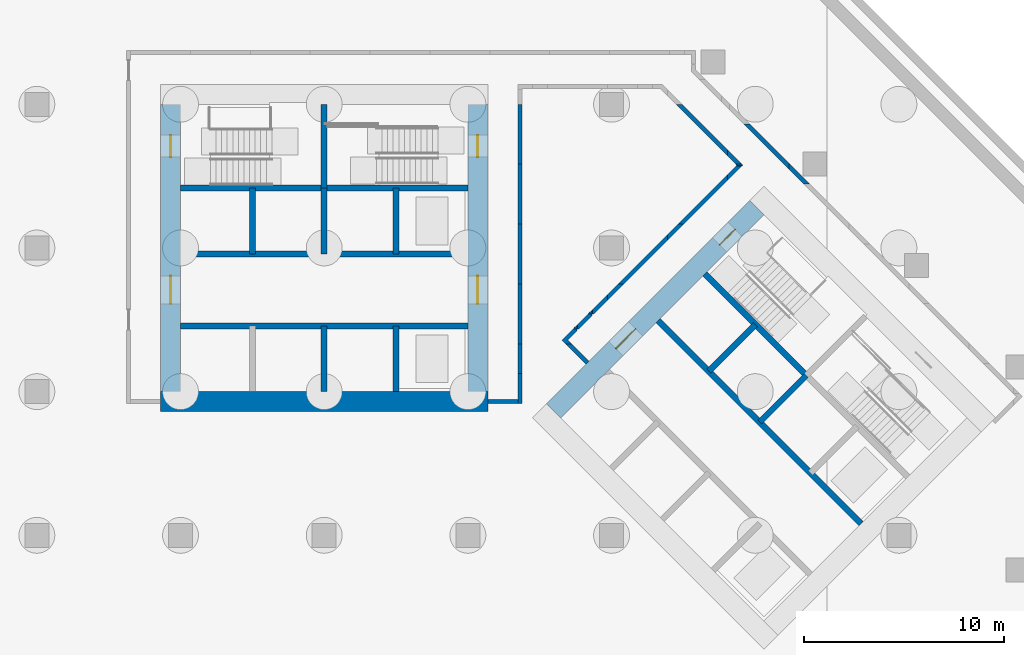
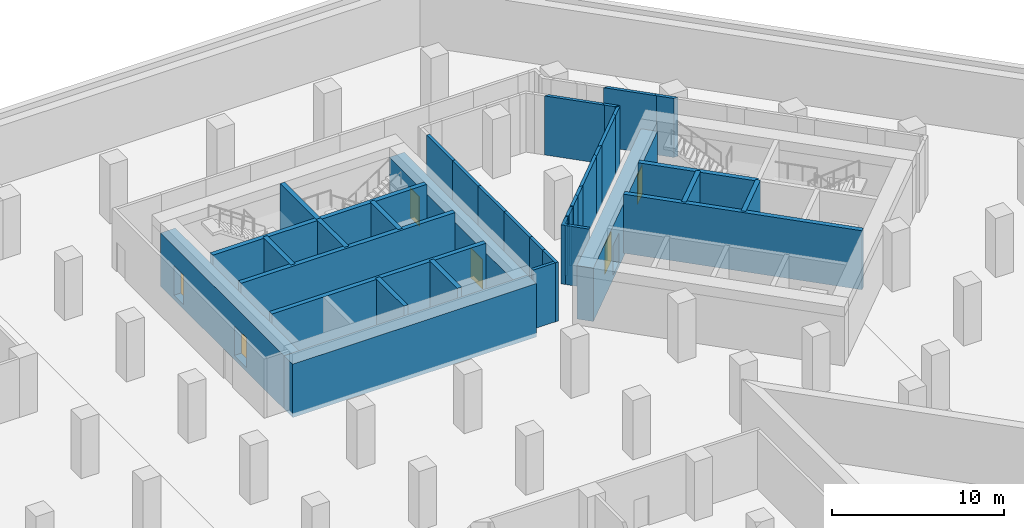
# One storey, part 6 of 12: 41 walls, 6 doors, 6 openings.
"""IFC4 building model written with IfcOpenShell, lengths in metres."""

from ifc_helpers import new_model, si_unit, direction, frame, frame_2d, origin, place, context, subcontext, project, spatial, polyline, rectangle, outline, extrude, material, layer, layer_set, type_object, element, fill, save


model = new_model("IFC4")

# Units and contexts
model_context = context("Model", 3, precision=1e-05, world=origin(), true_north=direction((0.0, 1.0)))
body_context = subcontext(model_context, "Body", "Model", "MODEL_VIEW")
ifc_project = project(units=[si_unit("LENGTHUNIT", "METRE"), si_unit("AREAUNIT", "SQUARE_METRE"), si_unit("VOLUMEUNIT", "CUBIC_METRE"), si_unit("PLANEANGLEUNIT", "RADIAN"), si_unit("MASSUNIT", "GRAM", prefix="KILO")], contexts=[model_context])

# Site, building, storey
site_placement = place(None, origin())
site = spatial("IfcSite", under=ifc_project, at=site_placement, CompositionType="ELEMENT")
building_placement = place(site_placement, origin())
building = spatial("IfcBuilding", under=site, at=building_placement, Name="Windrow Commons", CompositionType="ELEMENT")
storey_placement = place(building_placement, frame((0.0, 0.0, -9.0)))
storey = spatial("IfcBuildingStorey", under=building, at=storey_placement, Name="B2", CompositionType="ELEMENT", Elevation=-9.0)

# Walls
ifc_material_1 = material(Name="Blockwork partition", Category="masonry")
ifc_layer_1 = layer(ifc_material_1, 0.2)
ifc_layer_set_1 = layer_set([ifc_layer_1], Name="CP-PART-200")
wall_type_1 = type_object("IfcWallType", Name="CP-PART-200", PredefinedType="PARTITIONING", material=ifc_layer_set_1)
placement = place(storey_placement, origin())
element("IfcWall", 1, at=placement, inside=storey, type_object=wall_type_1, Name="Escape corridor wall 07", PredefinedType="PARTITIONING", context=body_context, shape_type="SweptSolid", body=[
    extrude(outline(polyline([(74.5, 50.0), (73.0, 50.0), (73.0, 49.8), (74.5, 49.8), (74.5, 50.0)])), origin(), (0.0, 0.0, 1.0), 4.2),
])
element("IfcWall", 2, at=placement, inside=storey, type_object=wall_type_1, Name="Escape corridor wall 08", PredefinedType="PARTITIONING", context=body_context, shape_type="SweptSolid", body=[
    extrude(outline(polyline([(74.5, 51.3), (74.5, 49.8), (74.7, 49.8), (74.7, 51.3), (74.5, 51.3)])), origin(), (0.0, 0.0, 1.0), 4.2),
])
element("IfcWall", 3, at=placement, inside=storey, type_object=wall_type_1, Name="Escape corridor wall 09", PredefinedType="PARTITIONING", context=body_context, shape_type="SweptSolid", body=[
    extrude(outline(polyline([(74.5, 52.8), (74.5, 51.3), (74.7, 51.3), (74.7, 52.8), (74.5, 52.8)])), origin(), (0.0, 0.0, 1.0), 4.2),
])
element("IfcWall", 4, at=placement, inside=storey, type_object=wall_type_1, Name="Escape corridor wall 10", PredefinedType="PARTITIONING", context=body_context, shape_type="SweptSolid", body=[
    extrude(outline(polyline([(74.5, 55.8), (74.5, 52.8), (74.7, 52.8), (74.7, 55.8), (74.5, 55.8)])), origin(), (0.0, 0.0, 1.0), 4.2),
])
element("IfcWall", 5, at=placement, inside=storey, type_object=wall_type_1, Name="Escape corridor wall 11", PredefinedType="PARTITIONING", context=body_context, shape_type="SweptSolid", body=[
    extrude(outline(polyline([(74.5, 58.8), (74.5, 55.8), (74.7, 55.8), (74.7, 58.8), (74.5, 58.8)])), origin(), (0.0, 0.0, 1.0), 4.2),
])
element("IfcWall", 6, at=placement, inside=storey, type_object=wall_type_1, Name="Escape corridor wall 12", PredefinedType="PARTITIONING", context=body_context, shape_type="SweptSolid", body=[
    extrude(outline(polyline([(74.5, 61.8), (74.5, 58.8), (74.7, 58.8), (74.7, 61.8), (74.5, 61.8)])), origin(), (0.0, 0.0, 1.0), 4.2),
])
element("IfcWall", 7, at=placement, inside=storey, type_object=wall_type_1, Name="Escape corridor wall 13", PredefinedType="PARTITIONING", context=body_context, shape_type="SweptSolid", body=[
    extrude(outline(polyline([(74.5, 64.8), (74.5, 61.8), (74.7, 61.8), (74.7, 64.8), (74.5, 64.8)])), origin(), (0.0, 0.0, 1.0), 4.2),
])
element("IfcWall", 8, at=placement, inside=storey, type_object=wall_type_1, Name="Escape corridor wall 18", PredefinedType="PARTITIONING", context=body_context, shape_type="SweptSolid", body=[
    extrude(outline(polyline([(76.904, 52.8), (77.1868, 52.8), (77.008, 52.9788), (77.4751, 53.446), (77.4751, 53.55), (77.2963, 53.55), (76.7251, 52.9788), (76.904, 52.8)])), origin(), (0.0, 0.0, 1.0), 4.2),
])
element("IfcWall", 9, at=placement, inside=storey, type_object=wall_type_1, Name="Escape corridor wall 19", PredefinedType="PARTITIONING", context=body_context, shape_type="SweptSolid", body=[
    extrude(outline(polyline([(77.4751, 53.7288), (77.2963, 53.55), (77.4751, 53.55), (77.4751, 53.7288)])), origin(), (0.0, 0.0, 1.0), 4.2),
])
element("IfcWall", 10, at=placement, inside=storey, type_object=wall_type_1, Name="Escape corridor wall 20", PredefinedType="PARTITIONING", context=body_context, shape_type="SweptSolid", body=[
    extrude(outline(polyline([(77.9272, 51.7767), (78.0686, 51.9182), (77.1868, 52.8), (76.904, 52.8), (77.9272, 51.7767)])), origin(), (0.0, 0.0, 1.0), 4.2),
])
element("IfcWall", 11, at=placement, inside=storey, type_object=wall_type_1, Name="Escape corridor wall 23", PredefinedType="PARTITIONING", context=body_context, shape_type="SweptSolid", body=[
    extrude(outline(polyline([(78.0463, 54.3), (77.4751, 53.7288), (77.4751, 53.55), (77.5791, 53.55), (78.2251, 54.196), (78.2251, 54.3), (78.0463, 54.3)])), origin(), (0.0, 0.0, 1.0), 4.2),
])
element("IfcWall", 12, at=placement, inside=storey, type_object=wall_type_1, Name="Escape corridor wall 24", PredefinedType="PARTITIONING", context=body_context, shape_type="SweptSolid", body=[
    extrude(outline(polyline([(78.2251, 54.4788), (78.0463, 54.3), (78.2251, 54.3), (78.2251, 54.4788)])), origin(), (0.0, 0.0, 1.0), 4.2),
])
element("IfcWall", 13, at=placement, inside=storey, type_object=wall_type_1, Name="Escape corridor wall 25", PredefinedType="PARTITIONING", context=body_context, shape_type="SweptSolid", body=[
    extrude(outline(polyline([(79.0, 55.2537), (78.2251, 54.4788), (78.2251, 54.3), (78.3291, 54.3), (79.0, 54.9709), (79.0, 55.2537)])), origin(), (0.0, 0.0, 1.0), 4.2),
])
element("IfcWall", 14, at=placement, inside=storey, type_object=wall_type_1, Name="Escape corridor wall 26", PredefinedType="PARTITIONING", context=body_context, shape_type="SweptSolid", body=[
    extrude(outline(polyline([(79.0, 54.9709), (79.8291, 55.8), (79.5463, 55.8), (79.0, 55.2537), (79.0, 54.9709)])), origin(), (0.0, 0.0, 1.0), 4.2),
])
element("IfcWall", 15, at=placement, inside=storey, type_object=wall_type_1, Name="Escape corridor wall 29", PredefinedType="PARTITIONING", context=body_context, shape_type="SweptSolid", body=[
    extrude(outline(polyline([(79.8291, 55.8), (82.0, 57.9709), (82.0, 58.2537), (79.5463, 55.8), (79.8291, 55.8)])), origin(), (0.0, 0.0, 1.0), 4.2),
])
element("IfcWall", 16, at=placement, inside=storey, type_object=wall_type_1, Name="Escape corridor wall 32", PredefinedType="PARTITIONING", context=body_context, shape_type="SweptSolid", body=[
    extrude(outline(polyline([(82.0, 57.9709), (82.8291, 58.8), (82.5463, 58.8), (82.0, 58.2537), (82.0, 57.9709)])), origin(), (0.0, 0.0, 1.0), 4.2),
])
element("IfcWall", 17, at=placement, inside=storey, type_object=wall_type_1, Name="Escape corridor wall 37", PredefinedType="PARTITIONING", context=body_context, shape_type="SweptSolid", body=[
    extrude(outline(polyline([(82.8291, 58.8), (85.0, 60.9709), (85.0, 61.2537), (82.5463, 58.8), (82.8291, 58.8)])), origin(), (0.0, 0.0, 1.0), 4.2),
])
element("IfcWall", 18, at=placement, inside=storey, type_object=wall_type_1, Name="Escape corridor wall 38", PredefinedType="PARTITIONING", context=body_context, shape_type="SweptSolid", body=[
    extrude(outline(polyline([(85.0, 62.523), (82.723, 64.8), (82.4402, 64.8), (85.0, 62.2402), (85.0, 62.523)])), origin(), (0.0, 0.0, 1.0), 4.2),
])
element("IfcWall", 19, at=placement, inside=storey, type_object=wall_type_1, Name="Escape corridor wall 41", PredefinedType="PARTITIONING", context=body_context, shape_type="SweptSolid", body=[
    extrude(outline(polyline([(85.0, 61.2537), (85.0, 60.9709), (85.75, 61.7209), (85.4672, 61.7209), (85.0, 61.2537)])), origin(), (0.0, 0.0, 1.0), 4.2),
])
element("IfcWall", 20, at=placement, inside=storey, type_object=wall_type_1, Name="Escape corridor wall 42", PredefinedType="PARTITIONING", context=body_context, shape_type="SweptSolid", body=[
    extrude(outline(polyline([(85.723, 61.8), (85.0, 62.523), (85.0, 62.2402), (85.4402, 61.8), (85.723, 61.8)])), origin(), (0.0, 0.0, 1.0), 4.2),
])
element("IfcWall", 21, at=placement, inside=storey, type_object=wall_type_1, Name="Escape corridor wall 44", PredefinedType="PARTITIONING", context=body_context, shape_type="SweptSolid", body=[
    extrude(outline(polyline([(85.4933, 61.747), (85.4672, 61.7209), (85.75, 61.7209), (85.75, 61.773), (85.723, 61.8), (85.4402, 61.8), (85.4933, 61.747)])), origin(), (0.0, 0.0, 1.0), 4.2),
])
element("IfcWall", 22, at=placement, inside=storey, type_object=wall_type_1, Name="Escape corridor wall 45", PredefinedType="PARTITIONING", context=body_context, shape_type="SweptSolid", body=[
    extrude(outline(polyline([(88.1, 61.8272), (86.1203, 63.8069), (85.8375, 63.8069), (88.1, 61.5444), (88.1, 61.8272)])), origin(), (0.0, 0.0, 1.0), 4.2),
])
element("IfcWall", 23, at=placement, inside=storey, type_object=wall_type_1, Name="Escape corridor wall 46", PredefinedType="PARTITIONING", context=body_context, shape_type="SweptSolid", body=[
    extrude(outline(polyline([(89.1203, 60.8069), (88.1, 61.8272), (88.1, 61.5444), (88.8375, 60.8069), (89.1203, 60.8069)])), origin(), (0.0, 0.0, 1.0), 4.2),
])
ifc_material_2 = material(Name="Concrete C60/75", Category="concrete")
ifc_layer_2 = layer(ifc_material_2, 1.0)
ifc_layer_set_2 = layer_set([ifc_layer_2], Name="RC CORE WALL 1000 C60/75")
wall_type_2 = type_object("IfcWallType", Name="RC CORE WALL 1000 C60/75", PredefinedType="SHEAR", material=ifc_layer_set_2)
wall_24_placement = place(storey_placement, frame((56.6, 49.9, -0.3), z_axis=(0.0, 0.0, 1.0), x_axis=(1.0, 0.0, 0.0)))
element("IfcWall", 24, at=wall_24_placement, inside=storey, type_object=wall_type_2, Name="Core A wall outer-S", PredefinedType="SHEAR", context=body_context, shape_type="SweptSolid", body=[
    extrude(rectangle(XDim=16.4, YDim=1.0, at=frame_2d((8.2, 0.0))), origin(), (0.0, 0.0, 1.0), 3.8),
])

# Wall, openings, doors
wall_25_placement = place(storey_placement, frame((57.1, 50.4, -0.3), z_axis=(0.0, 0.0, 1.0), x_axis=(0.0, 1.0, 0.0)))
wall_25 = element("IfcWall", 25, at=wall_25_placement, inside=storey, type_object=wall_type_2, Name="Core A wall outer-W", PredefinedType="SHEAR", context=body_context, shape_type="SweptSolid", body=[
    extrude(rectangle(XDim=14.4, YDim=1.0, at=frame_2d((7.2, 0.0))), origin(), (0.0, 0.0, 1.0), 3.8),
])
opening_1_placement = place(wall_25_placement, frame((4.4, 0.0, 0.3)))
opening_1 = element("IfcOpeningElement", 26, at=opening_1_placement, cuts=wall_25, Name="Opening B2-D01", PredefinedType="OPENING", context=body_context, shape_type="SweptSolid", body=[
    extrude(rectangle(XDim=1.4, YDim=2.1, at=frame_2d((0.7, 1.05))), frame((0.0, 0.51, 0.0), z_axis=(0.0, -1.0, 0.0), x_axis=(1.0, 0.0, 0.0)), (0.0, 0.0, 1.0), 1.02),
])
opening_2_placement = place(wall_25_placement, frame((11.75, 0.0, 0.3)))
opening_2 = element("IfcOpeningElement", 27, at=opening_2_placement, cuts=wall_25, Name="Opening B2-D02", PredefinedType="OPENING", context=body_context, shape_type="SweptSolid", body=[
    extrude(rectangle(XDim=1.1, YDim=2.1, at=frame_2d((0.55, 1.05))), frame((0.0, 0.51, 0.0), z_axis=(0.0, -1.0, 0.0), x_axis=(1.0, 0.0, 0.0)), (0.0, 0.0, 1.0), 1.02),
])
ifc_material_3 = material(Name="Steel fire door leaf", Category="steel")
door_type_1 = type_object("IfcDoorType", Name="CP-DOOR-1100", OperationType="SINGLE_SWING_LEFT", PredefinedType="DOOR", material=ifc_material_3)
door_1_placement = place(opening_2_placement, origin())
door_1 = element("IfcDoor", 28, at=door_1_placement, inside=storey, type_object=door_type_1, Name="D-B2-CORE-AW-2", OperationType="SINGLE_SWING_LEFT", OverallHeight=2.1, OverallWidth=1.1, PredefinedType="DOOR", context=body_context, shape_type="SweptSolid", body=[
    extrude(rectangle(XDim=1.1, YDim=2.1, at=frame_2d((0.55, 1.05))), frame((0.0, 0.025, 0.0), z_axis=(0.0, -1.0, 0.0), x_axis=(1.0, 0.0, 0.0)), (0.0, 0.0, 1.0), 0.05),
])
fill(opening_2, door_1)
ifc_material_4 = material(Name="Steel fire door leaf", Category="steel")
door_type_2 = type_object("IfcDoorType", Name="CP-DOOR-1400", OperationType="SINGLE_SWING_LEFT", PredefinedType="DOOR", material=ifc_material_4)
door_2_placement = place(opening_1_placement, origin())
door_2 = element("IfcDoor", 29, at=door_2_placement, inside=storey, type_object=door_type_2, Name="D-B2-CORE-AW-1", OperationType="SINGLE_SWING_RIGHT", OverallHeight=2.1, OverallWidth=1.4, PredefinedType="DOOR", context=body_context, shape_type="SweptSolid", body=[
    extrude(rectangle(XDim=1.4, YDim=2.1, at=frame_2d((0.7, 1.05))), frame((0.0, 0.025, 0.0), z_axis=(0.0, -1.0, 0.0), x_axis=(1.0, 0.0, 0.0)), (0.0, 0.0, 1.0), 0.05),
])
fill(opening_1, door_2)

wall_26_placement = place(storey_placement, frame((72.5, 50.4, -0.3), z_axis=(0.0, 0.0, 1.0), x_axis=(0.0, 1.0, 0.0)))
wall_26 = element("IfcWall", 30, at=wall_26_placement, inside=storey, type_object=wall_type_2, Name="Core A wall outer-E", PredefinedType="SHEAR", context=body_context, shape_type="SweptSolid", body=[
    extrude(rectangle(XDim=14.4, YDim=1.0, at=frame_2d((7.2, 0.0))), origin(), (0.0, 0.0, 1.0), 3.8),
])
opening_3_placement = place(wall_26_placement, frame((4.4, 0.0, 0.3)))
opening_3 = element("IfcOpeningElement", 31, at=opening_3_placement, cuts=wall_26, Name="Opening B2-D03", PredefinedType="OPENING", context=body_context, shape_type="SweptSolid", body=[
    extrude(rectangle(XDim=1.4, YDim=2.1, at=frame_2d((0.7, 1.05))), frame((0.0, 0.51, 0.0), z_axis=(0.0, -1.0, 0.0), x_axis=(1.0, 0.0, 0.0)), (0.0, 0.0, 1.0), 1.02),
])
opening_4_placement = place(wall_26_placement, frame((11.75, 0.0, 0.3)))
opening_4 = element("IfcOpeningElement", 32, at=opening_4_placement, cuts=wall_26, Name="Opening B2-D04", PredefinedType="OPENING", context=body_context, shape_type="SweptSolid", body=[
    extrude(rectangle(XDim=1.1, YDim=2.1, at=frame_2d((0.55, 1.05))), frame((0.0, 0.51, 0.0), z_axis=(0.0, -1.0, 0.0), x_axis=(1.0, 0.0, 0.0)), (0.0, 0.0, 1.0), 1.02),
])
door_3_placement = place(opening_4_placement, origin())
door_3 = element("IfcDoor", 33, at=door_3_placement, inside=storey, type_object=door_type_1, Name="D-B2-CORE-AE-4", OperationType="SINGLE_SWING_LEFT", OverallHeight=2.1, OverallWidth=1.1, PredefinedType="DOOR", context=body_context, shape_type="SweptSolid", body=[
    extrude(rectangle(XDim=1.1, YDim=2.1, at=frame_2d((0.55, 1.05))), frame((0.0, 0.025, 0.0), z_axis=(0.0, -1.0, 0.0), x_axis=(1.0, 0.0, 0.0)), (0.0, 0.0, 1.0), 0.05),
])
fill(opening_4, door_3)
door_4_placement = place(opening_3_placement, origin())
door_4 = element("IfcDoor", 34, at=door_4_placement, inside=storey, type_object=door_type_2, Name="D-B2-CORE-AE-3", OperationType="SINGLE_SWING_RIGHT", OverallHeight=2.1, OverallWidth=1.4, PredefinedType="DOOR", context=body_context, shape_type="SweptSolid", body=[
    extrude(rectangle(XDim=1.4, YDim=2.1, at=frame_2d((0.7, 1.05))), frame((0.0, 0.025, 0.0), z_axis=(0.0, -1.0, 0.0), x_axis=(1.0, 0.0, 0.0)), (0.0, 0.0, 1.0), 0.05),
])
fill(opening_3, door_4)

wall_27_placement = place(storey_placement, frame((76.3009, 49.4433, -0.3), z_axis=(0.0, 0.0, 1.0), x_axis=(0.7071067812, 0.7071067812, 0.0)))
wall_27 = element("IfcWall", 35, at=wall_27_placement, inside=storey, type_object=wall_type_2, Name="Core B wall outer-W", PredefinedType="SHEAR", context=body_context, shape_type="SweptSolid", body=[
    extrude(rectangle(XDim=14.3999, YDim=1.0, at=frame_2d((7.2, 0.0))), origin(), (0.0, 0.0, 1.0), 3.8),
])
opening_5_placement = place(wall_27_placement, frame((4.4, 0.0, 0.3)))
opening_5 = element("IfcOpeningElement", 36, at=opening_5_placement, cuts=wall_27, Name="Opening B2-D05", PredefinedType="OPENING", context=body_context, shape_type="SweptSolid", body=[
    extrude(rectangle(XDim=1.4, YDim=2.1, at=frame_2d((0.7, 1.05))), frame((0.0, 0.51, 0.0), z_axis=(0.0, -1.0, 0.0), x_axis=(1.0, 0.0, 0.0)), (0.0, 0.0, 1.0), 1.02),
])
opening_6_placement = place(wall_27_placement, frame((11.75, 0.0, 0.3)))
opening_6 = element("IfcOpeningElement", 37, at=opening_6_placement, cuts=wall_27, Name="Opening B2-D06", PredefinedType="OPENING", context=body_context, shape_type="SweptSolid", body=[
    extrude(rectangle(XDim=1.1, YDim=2.1, at=frame_2d((0.55, 1.05))), frame((0.0, 0.51, 0.0), z_axis=(0.0, -1.0, 0.0), x_axis=(1.0, 0.0, 0.0)), (0.0, 0.0, 1.0), 1.02),
])
door_5_placement = place(opening_6_placement, origin())
door_5 = element("IfcDoor", 38, at=door_5_placement, inside=storey, type_object=door_type_1, Name="D-B2-CORE-BW-6", OperationType="SINGLE_SWING_LEFT", OverallHeight=2.1, OverallWidth=1.1, PredefinedType="DOOR", context=body_context, shape_type="SweptSolid", body=[
    extrude(rectangle(XDim=1.1, YDim=2.1, at=frame_2d((0.55, 1.05))), frame((0.0, 0.025, 0.0), z_axis=(0.0, -1.0, 0.0), x_axis=(1.0, 0.0, 0.0)), (0.0, 0.0, 1.0), 0.05),
])
fill(opening_6, door_5)
door_6_placement = place(opening_5_placement, origin())
door_6 = element("IfcDoor", 39, at=door_6_placement, inside=storey, type_object=door_type_2, Name="D-B2-CORE-BW-5", OperationType="SINGLE_SWING_RIGHT", OverallHeight=2.1, OverallWidth=1.4, PredefinedType="DOOR", context=body_context, shape_type="SweptSolid", body=[
    extrude(rectangle(XDim=1.4, YDim=2.1, at=frame_2d((0.7, 1.05))), frame((0.0, 0.025, 0.0), z_axis=(0.0, -1.0, 0.0), x_axis=(1.0, 0.0, 0.0)), (0.0, 0.0, 1.0), 0.05),
])
fill(opening_5, door_6)

# Walls
ifc_material_5 = material(Name="Concrete C60/75", Category="concrete")
ifc_layer_3 = layer(ifc_material_5, 0.3)
ifc_layer_set_3 = layer_set([ifc_layer_3], Name="RC SHAFT WALL 300 C60/75")
wall_type_3 = type_object("IfcWallType", Name="RC SHAFT WALL 300 C60/75", PredefinedType="SOLIDWALL", material=ifc_layer_set_3)
for number, where, z_axis, x_axis, name in (
    (40, (61.2, 57.3, 0.0), (0.0, 0.0, 1.0), (0.0, 1.0, 0.0), "Core A wall shaft-N1"),
    (41, (64.8, 50.4, 0.0), (0.0, 0.0, 1.0), (0.0, 1.0, 0.0), "Core A wall shaft-S2"),
    (42, (64.8, 57.3, 0.0), (0.0, 0.0, 1.0), (0.0, 1.0, 0.0), "Core A wall shaft-N2"),
    (43, (68.4, 50.4, 0.0), (0.0, 0.0, 1.0), (0.0, 1.0, 0.0), "Core A wall shaft-S3"),
    (44, (68.4, 57.3, 0.0), (0.0, 0.0, 1.0), (0.0, 1.0, 0.0), "Core A wall shaft-N3"),
):
    element("IfcWall", number, at=place(storey_placement, frame(where, z_axis=z_axis, x_axis=x_axis)), inside=storey, type_object=wall_type_3, Name=name, PredefinedType="SOLIDWALL", context=body_context, shape_type="SweptSolid", body=[
        extrude(rectangle(XDim=3.3, YDim=0.3, at=frame_2d((1.65, 0.0))), origin(), (0.0, 0.0, 1.0), 4.2),
    ])
for number, where, z_axis, x_axis, name in (
    (45, (57.6, 53.7, 0.0), (0.0, 0.0, 1.0), (1.0, 0.0, 0.0), "Core A wall lobby-S"),
    (46, (57.6, 57.3, 0.0), (0.0, 0.0, 1.0), (1.0, 0.0, 0.0), "Core A wall lobby-N"),
):
    element("IfcWall", number, at=place(storey_placement, frame(where, z_axis=z_axis, x_axis=x_axis)), inside=storey, type_object=wall_type_3, Name=name, PredefinedType="SOLIDWALL", context=body_context, shape_type="SweptSolid", body=[
        extrude(rectangle(XDim=14.4, YDim=0.3, at=frame_2d((7.2, 0.0))), origin(), (0.0, 0.0, 1.0), 4.2),
    ])
for number, where, z_axis, x_axis, name in (
    (47, (57.6, 60.6, 0.0), (0.0, 0.0, 1.0), (1.0, 0.0, 0.0), "Core A wall stair-S"),
    (48, (64.8, 60.6, 0.0), (0.0, 0.0, 1.0), (1.0, 0.0, 0.0), "Core A wall stair-S2"),
):
    element("IfcWall", number, at=place(storey_placement, frame(where, z_axis=z_axis, x_axis=x_axis)), inside=storey, type_object=wall_type_3, Name=name, PredefinedType="SOLIDWALL", context=body_context, shape_type="SweptSolid", body=[
        extrude(rectangle(XDim=7.2, YDim=0.3, at=frame_2d((3.6, 0.0))), origin(), (0.0, 0.0, 1.0), 4.2),
    ])
wall_28_placement = place(storey_placement, frame((64.8, 60.6, 0.0), z_axis=(0.0, 0.0, 1.0), x_axis=(0.0, 1.0, 0.0)))
element("IfcWall", 49, at=wall_28_placement, inside=storey, type_object=wall_type_3, Name="Core A wall stair-mid", PredefinedType="SOLIDWALL", context=body_context, shape_type="SweptSolid", body=[
    extrude(rectangle(XDim=4.2, YDim=0.3, at=frame_2d((2.1, 0.0))), origin(), (0.0, 0.0, 1.0), 4.2),
])
wall_29_placement = place(storey_placement, frame((84.079, 51.4232, 0.0), z_axis=(0.0, 0.0, 1.0), x_axis=(0.7071219326, 0.7070916295, 0.0)))
element("IfcWall", 50, at=wall_29_placement, inside=storey, type_object=wall_type_3, Name="Core B wall shaft-N1", PredefinedType="SOLIDWALL", context=body_context, shape_type="SweptSolid", body=[
    extrude(rectangle(XDim=3.3, YDim=0.3, at=frame_2d((1.65, 0.0))), origin(), (0.0, 0.0, 1.0), 4.2),
])
wall_30_placement = place(storey_placement, frame((86.6246, 48.8776, 0.0), z_axis=(0.0, 0.0, 1.0), x_axis=(0.7071067812, 0.7071067812, 0.0)))
element("IfcWall", 51, at=wall_30_placement, inside=storey, type_object=wall_type_3, Name="Core B wall shaft-N2", PredefinedType="SOLIDWALL", context=body_context, shape_type="SweptSolid", body=[
    extrude(rectangle(XDim=3.3001, YDim=0.3, at=frame_2d((1.6501, 0.0))), origin(), (0.0, 0.0, 1.0), 4.2),
])
wall_31_placement = place(storey_placement, frame((81.5335, 53.9688, 0.0), z_axis=(0.0, 0.0, 1.0), x_axis=(0.707103309, -0.7071102534, 0.0)))
element("IfcWall", 52, at=wall_31_placement, inside=storey, type_object=wall_type_3, Name="Core B wall lobby-N", PredefinedType="SOLIDWALL", context=body_context, shape_type="SweptSolid", body=[
    extrude(rectangle(XDim=14.4, YDim=0.3, at=frame_2d((7.2, 0.0))), origin(), (0.0, 0.0, 1.0), 4.2),
])
wall_32_placement = place(storey_placement, frame((83.8669, 56.3022, 0.0), z_axis=(0.0, 0.0, 1.0), x_axis=(0.7071137256, -0.7070998367, 0.0)))
element("IfcWall", 53, at=wall_32_placement, inside=storey, type_object=wall_type_3, Name="Core B wall stair-S", PredefinedType="SOLIDWALL", context=body_context, shape_type="SweptSolid", body=[
    extrude(rectangle(XDim=7.2, YDim=0.3, at=frame_2d((3.6, 0.0))), origin(), (0.0, 0.0, 1.0), 4.2),
])

save(model, "model.ifc")
